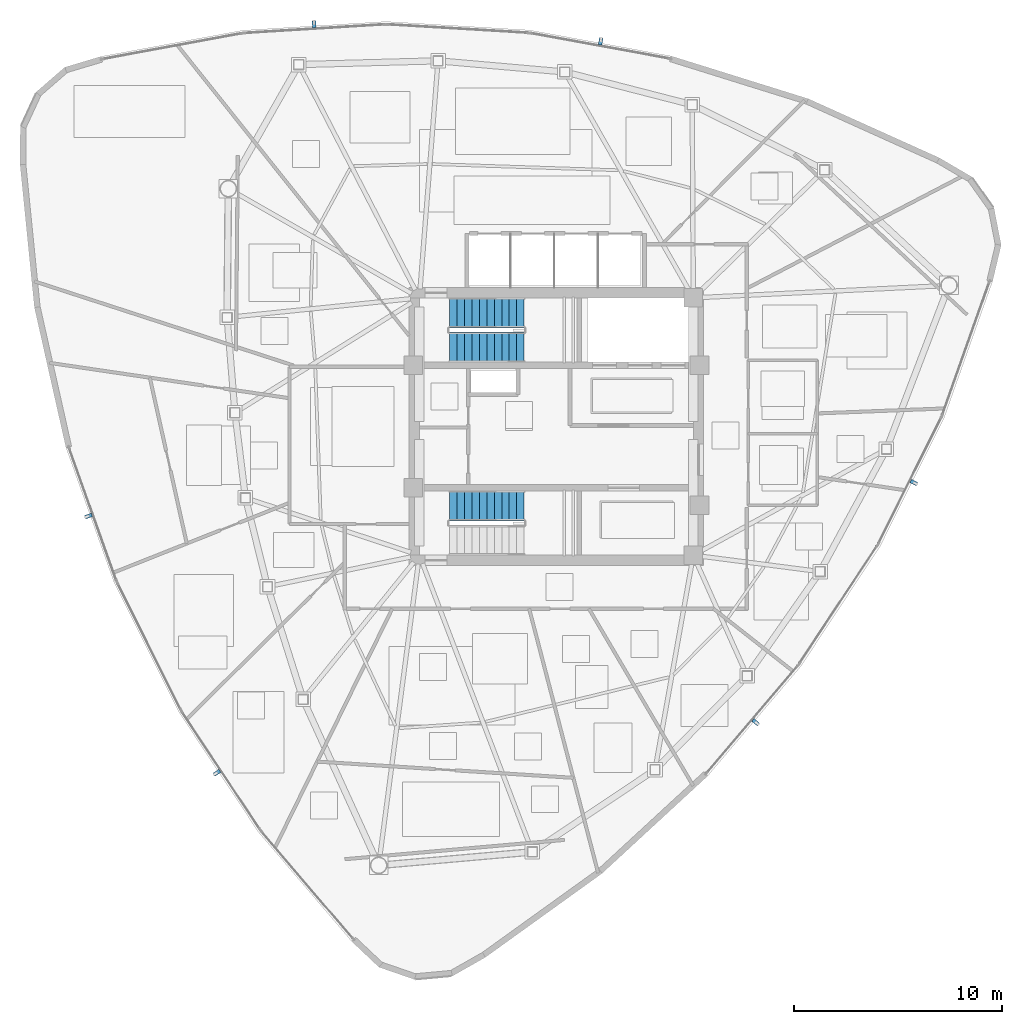
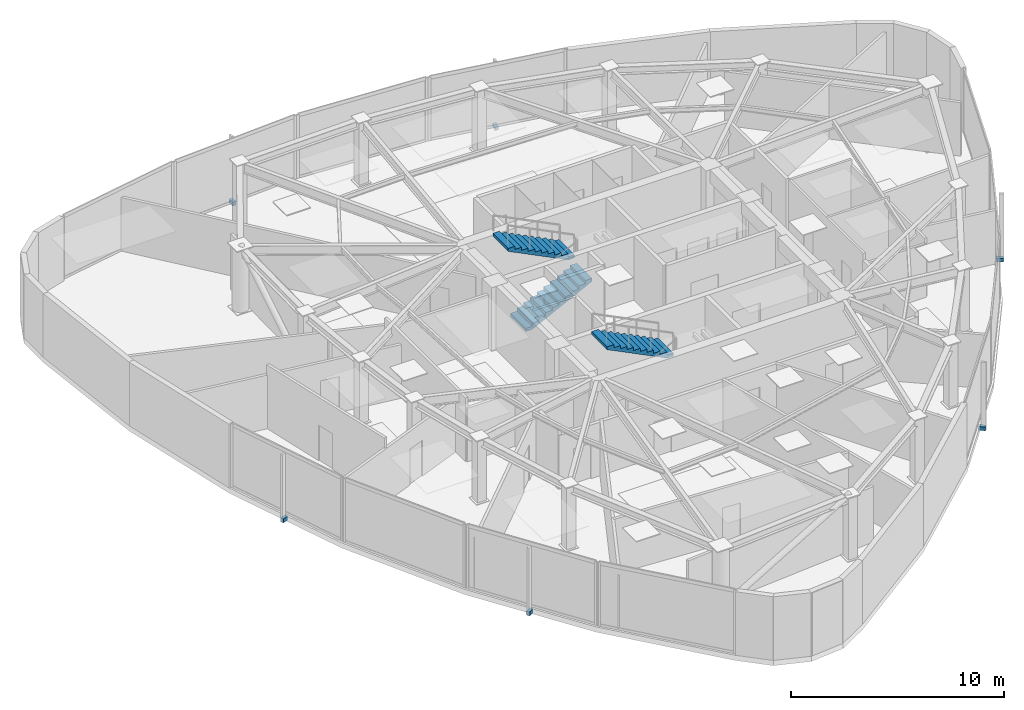
# One storey, part 10 of 13: 6 discrete accessories, 3 stair flights, 2 elements without a shape of their own.
"""IFC4 building model written with IfcOpenShell, lengths in metres."""

from ifc_helpers import new_model, si_unit, direction, frame, origin, origin_2d, place, context, subcontext, project, spatial, polyline, rectangle, outline, extrude, source, transform, mapped, material, type_object, type_shapes, element, aggregate, save


model = new_model("IFC4")

# Units and contexts
model_context = context("Model", 3, precision=1e-05, world=origin(), true_north=direction((0.0, 1.0)))
body_context = subcontext(model_context, "Body", "Model", "MODEL_VIEW")
ifc_project = project(units=[si_unit("LENGTHUNIT", "METRE"), si_unit("AREAUNIT", "SQUARE_METRE"), si_unit("VOLUMEUNIT", "CUBIC_METRE"), si_unit("PLANEANGLEUNIT", "RADIAN"), si_unit("MASSUNIT", "GRAM", prefix="KILO")], contexts=[model_context])

# Site, building, storey
site_placement = place(None, origin())
site = spatial("IfcSite", under=ifc_project, at=site_placement, CompositionType="ELEMENT")
building_placement = place(site_placement, origin())
building = spatial("IfcBuilding", under=site, at=building_placement, Name="Tavelor Broadcast Tower", CompositionType="ELEMENT")
storey_placement = place(building_placement, frame((0.0, 0.0, 265.60009765625)))
storey = spatial("IfcBuildingStorey", under=building, at=storey_placement, Name="L63", CompositionType="ELEMENT", Elevation=265.60009765625)

# Stair, stair flights
ifc_material_1 = material(Name="Concrete C40/50", Category="concrete")
stair_type = type_object("IfcStairType", Name="Reinforced Concrete Protected Dogleg Stair 1450 mm", PredefinedType="HALF_TURN_STAIR", material=ifc_material_1)
stair_1_placement = place(storey_placement, origin())
stair_1 = element("IfcStair", 1, at=stair_1_placement, inside=storey, type_object=stair_type, Name="L63 Protected Core Exit Stair ST1", PredefinedType="HALF_TURN_STAIR")
stair_flight_type = type_object("IfcStairFlightType", Name="Reinforced Concrete Stair Flight 1450 mm", PredefinedType="STRAIGHT", material=ifc_material_1)
stair_flight_1_placement = place(storey_placement, frame((44.85009765625, 48.824951171875, 0.0), z_axis=(0.0, 0.0, 1.0), x_axis=(1.0, 0.0, 0.0)))
stair_flight_1 = element("IfcStairFlight", 2, at=stair_flight_1_placement, type_object=stair_flight_type, Name="ST1 flight 1", NumberOfRisers=11, NumberOfTreads=10, PredefinedType="STRAIGHT", RiserHeight=0.179545455, TreadLength=0.36, context=body_context, shape_type="SweptSolid", body=[
    extrude(outline(polyline([(0.0, 0.0), (0.0, 0.179443359375), (0.360107421875, 0.179443359375), (0.360107421875, 0.359130859375), (0.719970703125, 0.359130859375), (0.719970703125, 0.53857421875), (1.080078125, 0.53857421875), (1.080078125, 0.71826171875), (1.43994140625, 0.71826171875), (1.43994140625, 0.897705078125), (1.800048828125, 0.897705078125), (1.800048828125, 1.077392578125), (2.159912109375, 1.077392578125), (2.159912109375, 1.2568359375), (2.52001953125, 1.2568359375), (2.52001953125, 1.436279296875), (2.8798828125, 1.436279296875), (2.8798828125, 1.615966796875), (3.239990234375, 1.615966796875), (3.239990234375, 1.79541015625), (3.60009765625, 1.79541015625), (3.60009765625, 1.97509765625), (3.60009765625, 1.6279296875), (0.3359375, 0.0), (0.0, 0.0)])), frame((0.0, 0.72509765625, 0.0), z_axis=(0.0, -1.0, 0.0), x_axis=(1.0, 0.0, 0.0)), (0.0, 0.0, 1.0), 1.449951171875),
])
stair_flight_2_placement = place(storey_placement, frame((48.449951171875, 50.47509765625, 1.974853515625), z_axis=(0.0, 0.0, 1.0), x_axis=(-1.0, 0.0, 0.0)))
stair_flight_2 = element("IfcStairFlight", 3, at=stair_flight_2_placement, type_object=stair_flight_type, Name="ST1 flight 2", NumberOfRisers=11, NumberOfTreads=10, PredefinedType="STRAIGHT", RiserHeight=0.179545455, TreadLength=0.36, context=body_context, shape_type="SweptSolid", body=[
    extrude(outline(polyline([(0.0, 0.0), (0.0, 0.179443359375), (0.360107421875, 0.179443359375), (0.360107421875, 0.359130859375), (0.719970703125, 0.359130859375), (0.719970703125, 0.53857421875), (1.080078125, 0.53857421875), (1.080078125, 0.71826171875), (1.43994140625, 0.71826171875), (1.43994140625, 0.897705078125), (1.800048828125, 0.897705078125), (1.800048828125, 1.077392578125), (2.159912109375, 1.077392578125), (2.159912109375, 1.2568359375), (2.52001953125, 1.2568359375), (2.52001953125, 1.436279296875), (2.8798828125, 1.436279296875), (2.8798828125, 1.615966796875), (3.239990234375, 1.615966796875), (3.239990234375, 1.79541015625), (3.60009765625, 1.79541015625), (3.60009765625, 1.97509765625), (3.60009765625, 1.6279296875), (0.3359375, 0.0), (0.0, 0.0)])), frame((0.0, 0.72509765625, 0.0), z_axis=(0.0, -1.0, 0.0), x_axis=(1.0, 0.0, 0.0)), (0.0, 0.0, 1.0), 1.449951171875),
])
aggregate(stair_1, [stair_flight_1, stair_flight_2])

# Stair, stair flight
stair_2_placement = place(storey_placement, origin())
stair_2 = element("IfcStair", 4, at=stair_2_placement, inside=storey, type_object=stair_type, Name="L63 Protected Core Exit Stair ST2", PredefinedType="HALF_TURN_STAIR")
stair_flight_3_placement = place(storey_placement, frame((48.449951171875, 41.175048828125, 1.974853515625), z_axis=(0.0, 0.0, 1.0), x_axis=(-1.0, 0.0, 0.0)))
stair_flight_3 = element("IfcStairFlight", 5, at=stair_flight_3_placement, type_object=stair_flight_type, Name="ST2 flight 2", NumberOfRisers=11, NumberOfTreads=10, PredefinedType="STRAIGHT", RiserHeight=0.179545455, TreadLength=0.36, context=body_context, shape_type="SweptSolid", body=[
    extrude(outline(polyline([(0.0, 0.0), (0.0, 0.179443359375), (0.360107421875, 0.179443359375), (0.360107421875, 0.359130859375), (0.719970703125, 0.359130859375), (0.719970703125, 0.53857421875), (1.080078125, 0.53857421875), (1.080078125, 0.71826171875), (1.43994140625, 0.71826171875), (1.43994140625, 0.897705078125), (1.800048828125, 0.897705078125), (1.800048828125, 1.077392578125), (2.159912109375, 1.077392578125), (2.159912109375, 1.2568359375), (2.52001953125, 1.2568359375), (2.52001953125, 1.436279296875), (2.8798828125, 1.436279296875), (2.8798828125, 1.615966796875), (3.239990234375, 1.615966796875), (3.239990234375, 1.79541015625), (3.60009765625, 1.79541015625), (3.60009765625, 1.97509765625), (3.60009765625, 1.6279296875), (0.3359375, 0.0), (0.0, 0.0)])), frame((0.0, 0.72509765625, 0.0), z_axis=(0.0, -1.0, 0.0), x_axis=(1.0, 0.0, 0.0)), (0.0, 0.0, 1.0), 1.449951171875),
])
aggregate(stair_2, [stair_flight_3])

# Discrete accessories
ifc_material_2 = material(Name="Steel S355", Category="steel")
discrete_accessory_type = type_object("IfcDiscreteAccessoryType", Name="Stainless Baguette Outrigger Support Bracket 260x180", PredefinedType="BRACKET", material=ifc_material_2)
shared_shape = source(origin(), body_context, "Body", "SweptSolid", [
    extrude(rectangle(XDim=0.179931640625, YDim=0.340087890625, at=origin_2d()), origin(), (0.0, 0.0, 1.0), 0.216064453125),
])
type_shapes(discrete_accessory_type, [shared_shape])
for number, where, z_axis, x_axis, name in (
    (6, (27.45947265625, 40.68798828125, -0.25830078125), (0.0, 0.0, 1.0), (0.335780389393, -0.941940300709, 0.0), "L63 Baguette Outrigger Bracket 649"),
    (7, (33.648193359375, 28.316162109375, -0.25830078125), (0.0, 0.0, 1.0), (0.552373531229, -0.833596714243, 0.0), "L63 Baguette Outrigger Bracket 650"),
    (8, (59.6044921875, 30.753173828125, -0.25830078125), (0.0, 0.0, 1.0), (0.647854034566, 0.761764497661, 0.0), "L63 Baguette Outrigger Bracket 651"),
    (9, (67.224609375, 42.298583984375, -0.25830078125), (0.0, 0.0, 1.0), (0.445729165431, 0.895167867544, 0.0), "L63 Baguette Outrigger Bracket 652"),
    (10, (52.135986328125, 63.55908203125, -0.25830078125), (0.0, 0.0, 1.0), (-0.983634423958, 0.180175803048, 0.0), "L63 Baguette Outrigger Bracket 653"),
    (11, (38.3271484375, 64.38525390625, -0.25830078125), (0.0, 0.0, 1.0), (-0.998102696661, -0.061571153301, 0.0), "L63 Baguette Outrigger Bracket 654"),
):
    element("IfcDiscreteAccessory", number, at=place(storey_placement, frame(where, z_axis=z_axis, x_axis=x_axis)), inside=storey, type_object=discrete_accessory_type, Name=name, PredefinedType="BRACKET", context=body_context, shape_type="MappedRepresentation", body=[
        mapped(shared_shape, transform((0.0, 0.0, 0.0), scale=1.0)),
    ])

save(model, "model.ifc")
